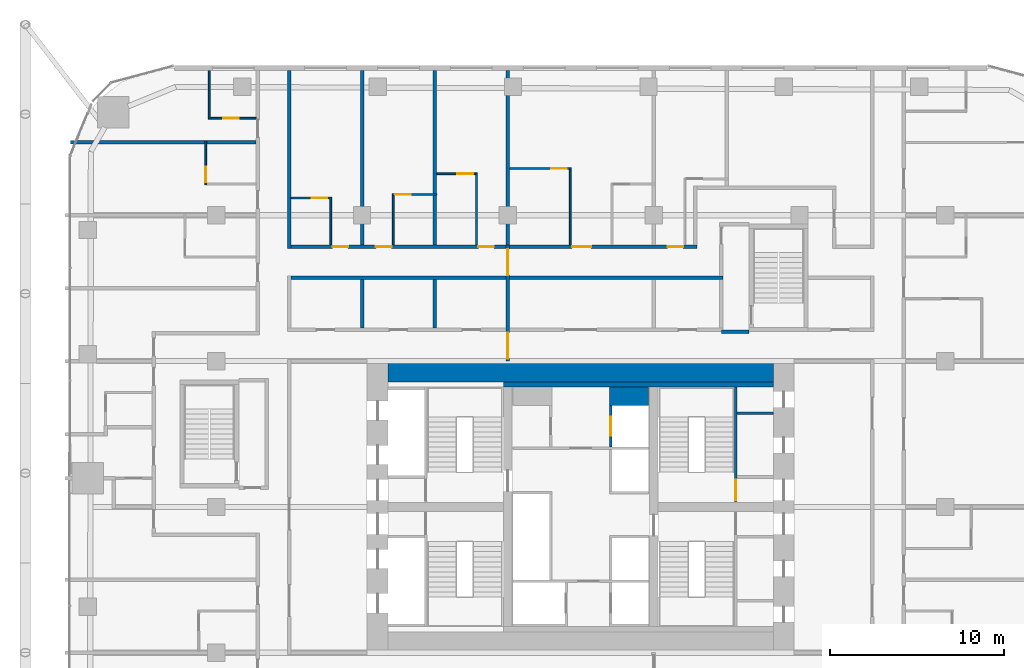
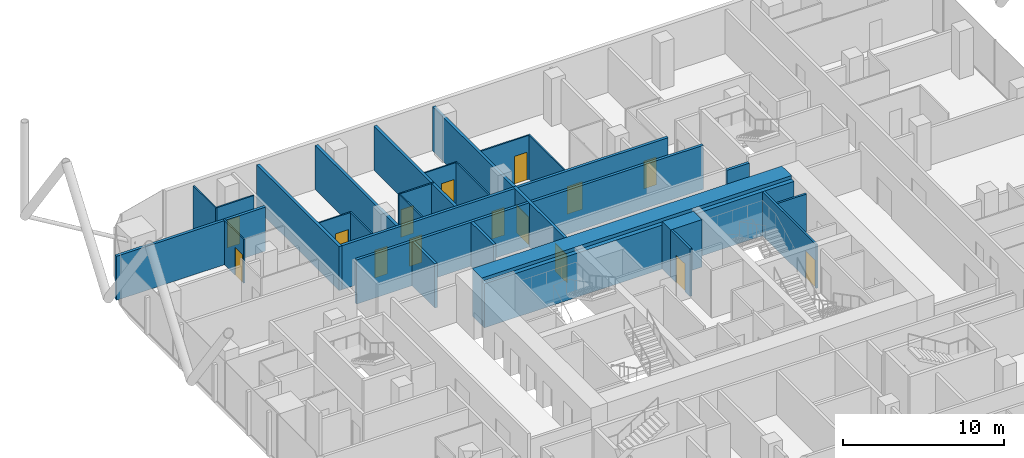
# One storey, part 30 of 35: 28 walls, 15 doors, 15 openings.
"""IFC4 building model written with IfcOpenShell, lengths in metres."""

from ifc_helpers import new_model, si_unit, direction, frame, frame_2d, origin, place, context, subcontext, project, spatial, rectangle, extrude, material, layer, layer_set, type_object, element, fill, save


model = new_model("IFC4")

# Units and contexts
model_context = context("Model", 3, precision=1e-05, world=origin(), true_north=direction((0.0, 1.0)))
body_context = subcontext(model_context, "Body", "Model", "MODEL_VIEW")
ifc_project = project(units=[si_unit("LENGTHUNIT", "METRE"), si_unit("AREAUNIT", "SQUARE_METRE"), si_unit("VOLUMEUNIT", "CUBIC_METRE"), si_unit("PLANEANGLEUNIT", "RADIAN"), si_unit("MASSUNIT", "GRAM", prefix="KILO")], contexts=[model_context])

# Site, building, storey
site_placement = place(None, origin())
site = spatial("IfcSite", under=ifc_project, at=site_placement, CompositionType="ELEMENT")
building_placement = place(site_placement, origin())
building = spatial("IfcBuilding", under=site, at=building_placement, Name="Marenta Gate Hotel Tower", CompositionType="ELEMENT")
storey_placement = place(building_placement, frame((0.0, 0.0, 61.699951171875)))
storey = spatial("IfcBuildingStorey", under=building, at=storey_placement, Name="L13", CompositionType="ELEMENT", Elevation=61.699951171875)

# Wall, openings, doors
ifc_material_1 = material(Name="Concrete blockwork", Category="masonry")
ifc_layer_1 = layer(ifc_material_1, 0.199951171875)
ifc_layer_set_1 = layer_set([ifc_layer_1], Name="Concrete blockwork")
wall_type_1 = type_object("IfcWallType", Name="Compartment wall 200 REI 180", PredefinedType="PARTITIONING", material=ifc_layer_set_1)
wall_1_placement = place(storey_placement, frame((-4.199951171875, 16.800048828125, 0.0), z_axis=(0.0, 0.0, 1.0), x_axis=(0.0, 1.0, 0.0)))
wall_1 = element("IfcWall", 1, at=wall_1_placement, inside=storey, type_object=wall_type_1, Name="L13-PTN-W077", PredefinedType="PARTITIONING", context=body_context, shape_type="SweptSolid", body=[
    extrude(rectangle(XDim=6.699951171875, YDim=0.199951171875, at=frame_2d((3.35009765625, 0.0))), origin(), (0.0, 0.0, 1.0), 3.340087890625),
])
opening_1_placement = place(wall_1_placement, frame((0.14990234375, 0.0, 0.0)))
opening_1 = element("IfcOpeningElement", 2, at=opening_1_placement, cuts=wall_1, Name="Opening G04-FD1", PredefinedType="OPENING", context=body_context, shape_type="SweptSolid", body=[
    extrude(rectangle(XDim=1.5, YDim=2.10009765625, at=frame_2d((0.75, 1.050048828125))), frame((0.0, 0.10009765625, 0.0), z_axis=(0.0, -1.0, 0.0), x_axis=(1.0, 0.0, 0.0)), (0.0, 0.0, 1.0), 0.199951171875),
])
opening_2_placement = place(wall_1_placement, frame((4.949951171875, 0.0, 0.0)))
opening_2 = element("IfcOpeningElement", 3, at=opening_2_placement, cuts=wall_1, Name="Opening G04-FD2", PredefinedType="OPENING", context=body_context, shape_type="SweptSolid", body=[
    extrude(rectangle(XDim=1.5, YDim=2.10009765625, at=frame_2d((0.75, 1.050048828125))), frame((0.0, 0.10009765625, 0.0), z_axis=(0.0, -1.0, 0.0), x_axis=(1.0, 0.0, 0.0)), (0.0, 0.0, 1.0), 0.199951171875),
])
ifc_material_2 = material(Name="Hollow steel door set", Category="steel")
door_type_1 = type_object("IfcDoorType", Name="Compartment fire door 1500x2100 EI 60", OperationType="DOUBLE_DOOR_DOUBLE_SWING", PredefinedType="DOOR", material=ifc_material_2)
door_1_placement = place(opening_1_placement, origin())
door_1 = element("IfcDoor", 4, at=door_1_placement, inside=storey, type_object=door_type_1, Name="L13-PD-FD01", OperationType="DOUBLE_DOOR_DOUBLE_SWING", OverallHeight=2.10009765625, OverallWidth=1.5, PredefinedType="DOOR", context=body_context, shape_type="SweptSolid", body=[
    extrude(rectangle(XDim=1.5, YDim=2.10009765625, at=frame_2d((0.75, 1.050048828125))), frame((0.0, 0.02490234375, 0.0), z_axis=(0.0, -1.0, 0.0), x_axis=(1.0, 0.0, 0.0)), (0.0, 0.0, 1.0), 0.050048828125),
])
fill(opening_1, door_1)
door_2_placement = place(opening_2_placement, origin())
door_2 = element("IfcDoor", 5, at=door_2_placement, inside=storey, type_object=door_type_1, Name="L13-PD-FD02", OperationType="DOUBLE_DOOR_DOUBLE_SWING", OverallHeight=2.10009765625, OverallWidth=1.5, PredefinedType="DOOR", context=body_context, shape_type="SweptSolid", body=[
    extrude(rectangle(XDim=1.5, YDim=2.10009765625, at=frame_2d((0.75, 1.050048828125))), frame((0.0, 0.02490234375, 0.0), z_axis=(0.0, -1.0, 0.0), x_axis=(1.0, 0.0, 0.0)), (0.0, 0.0, 1.0), 0.050048828125),
])
fill(opening_2, door_2)

# Walls
wall_2_placement = place(storey_placement, frame((-4.199951171875, 23.5, 0.0), z_axis=(0.0, 0.0, 1.0), x_axis=(0.0, 1.0, 0.0)))
element("IfcWall", 6, at=wall_2_placement, inside=storey, type_object=wall_type_1, Name="L13-PTN-W078", PredefinedType="PARTITIONING", context=body_context, shape_type="SweptSolid", body=[
    extrude(rectangle(XDim=10.0400390625, YDim=0.199951171875, at=frame_2d((5.02001953125, 0.0))), origin(), (0.0, 0.0, 1.0), 3.340087890625),
])
ifc_material_3 = material(Name="Concrete C40", Category="concrete")
ifc_layer_2 = layer(ifc_material_3, 0.300048828125)
ifc_layer_set_2 = layer_set([ifc_layer_2], Name="Concrete C40")
wall_type_2 = type_object("IfcWallType", Name="Core lining wall 300 REI 180", PredefinedType="PARTITIONING", material=ifc_layer_set_2)
wall_3_placement = place(storey_placement, frame((-11.10009765625, 15.449951171875, 0.0), z_axis=(0.0, 0.0, 1.0), x_axis=(1.0, 0.0, 0.0)))
element("IfcWall", 7, at=wall_3_placement, inside=storey, type_object=wall_type_2, Name="L13-CP-LN-N", PredefinedType="PARTITIONING", context=body_context, shape_type="SweptSolid", body=[
    extrude(rectangle(XDim=22.2001953125, YDim=0.300048828125, at=frame_2d((11.10009765625, 0.0))), origin(), (0.0, 0.0, 1.0), 3.340087890625),
])
ifc_material_4 = material(Name="Concrete blockwork", Category="masonry")
ifc_layer_3 = layer(ifc_material_4, 0.14990234375)
ifc_layer_set_3 = layer_set([ifc_layer_3], Name="Concrete blockwork")
wall_type_3 = type_object("IfcWallType", Name="Core room partition 150 REI 180", PredefinedType="PARTITIONING", material=ifc_layer_set_3)
wall_4_placement = place(storey_placement, frame((9.0, 13.800048828125, 0.0), z_axis=(0.0, 0.0, 1.0), x_axis=(1.0, 0.0, 0.0)))
element("IfcWall", 8, at=wall_4_placement, inside=storey, type_object=wall_type_3, Name="L13-CP-RW-EN-1", PredefinedType="PARTITIONING", context=body_context, shape_type="SweptSolid", body=[
    extrude(rectangle(XDim=2.10009765625, YDim=0.14990234375, at=frame_2d((1.050048828125, 0.0))), origin(), (0.0, 0.0, 1.0), 3.340087890625),
])
ifc_material_5 = material(Name="Concrete C40", Category="concrete")
ifc_layer_4 = layer(ifc_material_5, 1.050048828125)
ifc_layer_set_4 = layer_set([ifc_layer_4], Name="Concrete C40")
wall_type_4 = type_object("IfcWallType", Name="Core shaft wall 1050 REI 180", PredefinedType="SHEAR", material=ifc_layer_set_4)
wall_5_placement = place(storey_placement, frame((1.64990234375, 14.77490234375, 0.0), z_axis=(0.0, 0.0, 1.0), x_axis=(1.0, 0.0, 0.0)))
element("IfcWall", 9, at=wall_5_placement, inside=storey, type_object=wall_type_4, Name="L13-SHF-CE-N-top", PredefinedType="SHEAR", context=body_context, shape_type="SweptSolid", body=[
    extrude(rectangle(XDim=2.25, YDim=1.050048828125, at=frame_2d((1.125, 0.0))), origin(), (0.0, 0.0, 1.0), 3.60009765625),
])

# Wall, opening, door
ifc_material_6 = material(Name="Concrete C40", Category="concrete")
ifc_layer_5 = layer(ifc_material_6, 0.14990234375)
ifc_layer_set_5 = layer_set([ifc_layer_5], Name="Concrete C40")
wall_type_5 = type_object("IfcWallType", Name="Core shaft wall 150 REI 180", PredefinedType="SHEAR", material=ifc_layer_set_5)
wall_6_placement = place(storey_placement, frame((1.72509765625, 11.85009765625, 0.0), z_axis=(0.0, 0.0, 1.0), x_axis=(0.0, 1.0, 0.0)))
wall_6 = element("IfcWall", 10, at=wall_6_placement, inside=storey, type_object=wall_type_5, Name="L13-SHF-CE-N-front2", PredefinedType="SHEAR", context=body_context, shape_type="SweptSolid", body=[
    extrude(rectangle(XDim=2.39990234375, YDim=0.14990234375, at=frame_2d((1.199951171875, 0.0))), origin(), (0.0, 0.0, 1.0), 3.60009765625),
])
opening_3_placement = place(wall_6_placement, frame((0.64990234375, 0.0, 0.0)))
opening_3 = element("IfcOpeningElement", 11, at=opening_3_placement, cuts=wall_6, Name="Opening LD-FF2", PredefinedType="OPENING", context=body_context, shape_type="SweptSolid", body=[
    extrude(rectangle(XDim=1.10009765625, YDim=2.10009765625, at=frame_2d((0.550048828125, 1.050048828125))), frame((0.0, 0.074951171875, 0.0), z_axis=(0.0, -1.0, 0.0), x_axis=(1.0, 0.0, 0.0)), (0.0, 0.0, 1.0), 0.14990234375),
])
ifc_material_7 = material(Name="Steel", Category="steel")
door_type_2 = type_object("IfcDoorType", Name="Core lift landing door 1100x2100 E 60", OperationType="SLIDING_TO_LEFT", PredefinedType="DOOR", material=ifc_material_7)
door_3_placement = place(opening_3_placement, origin())
door_3 = element("IfcDoor", 12, at=door_3_placement, inside=storey, type_object=door_type_2, Name="LD-FF2", OperationType="SLIDING_TO_LEFT", OverallHeight=2.10009765625, OverallWidth=1.10009765625, PredefinedType="DOOR", context=body_context, shape_type="SweptSolid", body=[
    extrude(rectangle(XDim=1.10009765625, YDim=2.10009765625, at=frame_2d((0.550048828125, 1.050048828125))), frame((0.0, 0.02490234375, 0.0), z_axis=(0.0, -1.0, 0.0), x_axis=(1.0, 0.0, 0.0)), (0.0, 0.0, 1.0), 0.050048828125),
])
fill(opening_3, door_3)

ifc_material_8 = material(Name="Concrete C40", Category="concrete")
ifc_layer_6 = layer(ifc_material_8, 0.14990234375)
ifc_layer_set_6 = layer_set([ifc_layer_6], Name="Concrete C40")
wall_type_6 = type_object("IfcWallType", Name="Core stair enclosure wall 150 REI 180", PredefinedType="SHEAR", material=ifc_layer_set_6)
wall_7_placement = place(storey_placement, frame((8.925048828125, 8.699951171875, 0.0), z_axis=(0.0, 0.0, 1.0), x_axis=(0.0, 1.0, 0.0)))
wall_7 = element("IfcWall", 13, at=wall_7_placement, inside=storey, type_object=wall_type_6, Name="L13-SHF-SW-EN-3", PredefinedType="SHEAR", context=body_context, shape_type="SweptSolid", body=[
    extrude(rectangle(XDim=6.60009765625, YDim=0.14990234375, at=frame_2d((3.300048828125, 0.0))), origin(), (0.0, 0.0, 1.0), 3.340087890625),
])
opening_4_placement = place(wall_7_placement, frame((0.074951171875, 0.0, 0.0)))
opening_4 = element("IfcOpeningElement", 14, at=opening_4_placement, cuts=wall_7, Name="Opening SD-EN", PredefinedType="OPENING", context=body_context, shape_type="SweptSolid", body=[
    extrude(rectangle(XDim=1.199951171875, YDim=2.10009765625, at=frame_2d((0.60009765625, 1.050048828125))), frame((0.0, 0.074951171875, 0.0), z_axis=(0.0, -1.0, 0.0), x_axis=(1.0, 0.0, 0.0)), (0.0, 0.0, 1.0), 0.14990234375),
])
ifc_material_9 = material(Name="Steel", Category="steel")
door_type_3 = type_object("IfcDoorType", Name="Core stair door 1200x2100 FD60", OperationType="SINGLE_SWING_LEFT", PredefinedType="DOOR", material=ifc_material_9)
door_4_placement = place(opening_4_placement, origin())
door_4 = element("IfcDoor", 15, at=door_4_placement, inside=storey, type_object=door_type_3, Name="SD-EN", OperationType="SINGLE_SWING_LEFT", OverallHeight=2.10009765625, OverallWidth=1.199951171875, PredefinedType="DOOR", context=body_context, shape_type="SweptSolid", body=[
    extrude(rectangle(XDim=1.199951171875, YDim=2.10009765625, at=frame_2d((0.60009765625, 1.050048828125))), frame((0.0, 0.02490234375, 0.0), z_axis=(0.0, -1.0, 0.0), x_axis=(1.0, 0.0, 0.0)), (0.0, 0.0, 1.0), 0.050048828125),
])
fill(opening_4, door_4)

# Walls
ifc_material_10 = material(Name="Concrete C80", Category="concrete")
ifc_layer_7 = layer(ifc_material_10, 1.199951171875)
ifc_layer_set_7 = layer_set([ifc_layer_7], Name="Concrete C80")
wall_type_7 = type_object("IfcWallType", Name="Core wall 1200 C80", PredefinedType="SHEAR", material=ifc_layer_set_7)
wall_8_placement = place(storey_placement, frame((-11.10009765625, 16.199951171875, 0.0), z_axis=(0.0, 0.0, 1.0), x_axis=(1.0, 0.0, 0.0)))
element("IfcWall", 16, at=wall_8_placement, inside=storey, type_object=wall_type_7, Name="L13-CORE-N", PredefinedType="SHEAR", context=body_context, shape_type="SweptSolid", body=[
    extrude(rectangle(XDim=22.2001953125, YDim=1.199951171875, at=frame_2d((11.10009765625, 0.0))), origin(), (0.0, 0.0, 1.0), 3.60009765625),
])
ifc_material_11 = material(Name="Concrete blockwork", Category="masonry")
ifc_layer_8 = layer(ifc_material_11, 0.199951171875)
ifc_layer_set_8 = layer_set([ifc_layer_8], Name="Concrete blockwork")
wall_type_8 = type_object("IfcWallType", Name="Room corridor wall 200 EI 120", PredefinedType="PARTITIONING", material=ifc_layer_set_8)
wall_9_placement = place(storey_placement, frame((-16.699951171875, 21.60009765625, 0.0), z_axis=(0.0, 0.0, 1.0), x_axis=(1.0, 0.0, 0.0)))
element("IfcWall", 17, at=wall_9_placement, inside=storey, type_object=wall_type_8, Name="L13-PTN-W127", PredefinedType="PARTITIONING", context=body_context, shape_type="SweptSolid", body=[
    extrude(rectangle(XDim=24.89990234375, YDim=0.199951171875, at=frame_2d((12.449951171875, 0.0))), origin(), (0.0, 0.0, 1.0), 3.340087890625),
])
ifc_material_12 = material(Name="Gypsum board on steel stud", Category="steel")
ifc_layer_9 = layer(ifc_material_12, 0.199951171875)
ifc_layer_set_9 = layer_set([ifc_layer_9], Name="Gypsum board on steel stud")
wall_type_9 = type_object("IfcWallType", Name="Room corridor wall 200 EI 60", PredefinedType="PARTITIONING", material=ifc_layer_set_9)
wall_10_placement = place(storey_placement, frame((-16.800048828125, 23.300048828125, 0.0), z_axis=(0.0, 0.0, 1.0), x_axis=(0.0, 1.0, 0.0)))
element("IfcWall", 18, at=wall_10_placement, inside=storey, type_object=wall_type_9, Name="L13-PTN-W112", PredefinedType="PARTITIONING", context=body_context, shape_type="SweptSolid", body=[
    extrude(rectangle(XDim=10.239990234375, YDim=0.199951171875, at=frame_2d((5.1201171875, 0.0))), origin(), (0.0, 0.0, 1.0), 3.340087890625),
])

# Wall, openings, doors
wall_11_placement = place(storey_placement, frame((-16.699951171875, 23.39990234375, 0.0), z_axis=(0.0, 0.0, 1.0), x_axis=(1.0, 0.0, 0.0)))
wall_11 = element("IfcWall", 19, at=wall_11_placement, inside=storey, type_object=wall_type_9, Name="L13-PTN-W135", PredefinedType="PARTITIONING", context=body_context, shape_type="SweptSolid", body=[
    extrude(rectangle(XDim=23.39990234375, YDim=0.199951171875, at=frame_2d((11.699951171875, 0.0))), origin(), (0.0, 0.0, 1.0), 3.340087890625),
])
opening_5_placement = place(wall_11_placement, frame((2.39990234375, 0.0, 0.0)))
opening_5 = element("IfcOpeningElement", 20, at=opening_5_placement, cuts=wall_11, Name="Opening G04-29", PredefinedType="OPENING", context=body_context, shape_type="SweptSolid", body=[
    extrude(rectangle(XDim=0.89990234375, YDim=2.10009765625, at=frame_2d((0.449951171875, 1.050048828125))), frame((0.0, 0.10009765625, 0.0), z_axis=(0.0, -1.0, 0.0), x_axis=(1.0, 0.0, 0.0)), (0.0, 0.0, 1.0), 0.199951171875),
])
opening_6_placement = place(wall_11_placement, frame((4.89990234375, 0.0, 0.0)))
opening_6 = element("IfcOpeningElement", 21, at=opening_6_placement, cuts=wall_11, Name="Opening G04-31", PredefinedType="OPENING", context=body_context, shape_type="SweptSolid", body=[
    extrude(rectangle(XDim=0.89990234375, YDim=2.10009765625, at=frame_2d((0.449951171875, 1.050048828125))), frame((0.0, 0.10009765625, 0.0), z_axis=(0.0, -1.0, 0.0), x_axis=(1.0, 0.0, 0.0)), (0.0, 0.0, 1.0), 0.199951171875),
])
opening_7_placement = place(wall_11_placement, frame((10.800048828125, 0.0, 0.0)))
opening_7 = element("IfcOpeningElement", 22, at=opening_7_placement, cuts=wall_11, Name="Opening G04-33", PredefinedType="OPENING", context=body_context, shape_type="SweptSolid", body=[
    extrude(rectangle(XDim=0.89990234375, YDim=2.10009765625, at=frame_2d((0.449951171875, 1.050048828125))), frame((0.0, 0.10009765625, 0.0), z_axis=(0.0, -1.0, 0.0), x_axis=(1.0, 0.0, 0.0)), (0.0, 0.0, 1.0), 0.199951171875),
])
opening_8_placement = place(wall_11_placement, frame((16.199951171875, 0.0, 0.0)))
opening_8 = element("IfcOpeningElement", 23, at=opening_8_placement, cuts=wall_11, Name="Opening G04-35", PredefinedType="OPENING", context=body_context, shape_type="SweptSolid", body=[
    extrude(rectangle(XDim=1.10009765625, YDim=2.10009765625, at=frame_2d((0.550048828125, 1.050048828125))), frame((0.0, 0.10009765625, 0.0), z_axis=(0.0, -1.0, 0.0), x_axis=(1.0, 0.0, 0.0)), (0.0, 0.0, 1.0), 0.199951171875),
])
opening_9_placement = place(wall_11_placement, frame((21.699951171875, 0.0, 0.0)))
opening_9 = element("IfcOpeningElement", 24, at=opening_9_placement, cuts=wall_11, Name="Opening G04-38", PredefinedType="OPENING", context=body_context, shape_type="SweptSolid", body=[
    extrude(rectangle(XDim=0.89990234375, YDim=2.10009765625, at=frame_2d((0.449951171875, 1.050048828125))), frame((0.0, 0.10009765625, 0.0), z_axis=(0.0, -1.0, 0.0), x_axis=(1.0, 0.0, 0.0)), (0.0, 0.0, 1.0), 0.199951171875),
])
ifc_material_13 = material(Name="Timber door leaf", Category="wood")
door_type_4 = type_object("IfcDoorType", Name="Guest room door 1100x2100 EI 30", OperationType="NOTDEFINED", PredefinedType="DOOR", material=ifc_material_13)
door_5_placement = place(opening_8_placement, origin())
door_5 = element("IfcDoor", 25, at=door_5_placement, inside=storey, type_object=door_type_4, Name="L13-PD-D035", OperationType="SINGLE_SWING_LEFT", OverallHeight=2.10009765625, OverallWidth=1.10009765625, PredefinedType="DOOR", context=body_context, shape_type="SweptSolid", body=[
    extrude(rectangle(XDim=1.10009765625, YDim=2.10009765625, at=frame_2d((0.550048828125, 1.050048828125))), frame((0.0, 0.02490234375, 0.0), z_axis=(0.0, -1.0, 0.0), x_axis=(1.0, 0.0, 0.0)), (0.0, 0.0, 1.0), 0.050048828125),
])
fill(opening_8, door_5)
ifc_material_14 = material(Name="Timber door leaf", Category="wood")
door_type_5 = type_object("IfcDoorType", Name="Guest room door 900x2100 EI 30", OperationType="NOTDEFINED", PredefinedType="DOOR", material=ifc_material_14)
door_6_placement = place(opening_5_placement, origin())
door_6 = element("IfcDoor", 26, at=door_6_placement, inside=storey, type_object=door_type_5, Name="L13-PD-D029", OperationType="SINGLE_SWING_LEFT", OverallHeight=2.10009765625, OverallWidth=0.89990234375, PredefinedType="DOOR", context=body_context, shape_type="SweptSolid", body=[
    extrude(rectangle(XDim=0.89990234375, YDim=2.10009765625, at=frame_2d((0.449951171875, 1.050048828125))), frame((0.0, 0.02490234375, 0.0), z_axis=(0.0, -1.0, 0.0), x_axis=(1.0, 0.0, 0.0)), (0.0, 0.0, 1.0), 0.050048828125),
])
fill(opening_5, door_6)
door_7_placement = place(opening_6_placement, origin())
door_7 = element("IfcDoor", 27, at=door_7_placement, inside=storey, type_object=door_type_5, Name="L13-PD-D031", OperationType="SINGLE_SWING_RIGHT", OverallHeight=2.10009765625, OverallWidth=0.89990234375, PredefinedType="DOOR", context=body_context, shape_type="SweptSolid", body=[
    extrude(rectangle(XDim=0.89990234375, YDim=2.10009765625, at=frame_2d((0.449951171875, 1.050048828125))), frame((0.0, 0.02490234375, 0.0), z_axis=(0.0, -1.0, 0.0), x_axis=(1.0, 0.0, 0.0)), (0.0, 0.0, 1.0), 0.050048828125),
])
fill(opening_6, door_7)
door_8_placement = place(opening_7_placement, origin())
door_8 = element("IfcDoor", 28, at=door_8_placement, inside=storey, type_object=door_type_5, Name="L13-PD-D033", OperationType="SINGLE_SWING_LEFT", OverallHeight=2.10009765625, OverallWidth=0.89990234375, PredefinedType="DOOR", context=body_context, shape_type="SweptSolid", body=[
    extrude(rectangle(XDim=0.89990234375, YDim=2.10009765625, at=frame_2d((0.449951171875, 1.050048828125))), frame((0.0, 0.02490234375, 0.0), z_axis=(0.0, -1.0, 0.0), x_axis=(1.0, 0.0, 0.0)), (0.0, 0.0, 1.0), 0.050048828125),
])
fill(opening_7, door_8)
door_9_placement = place(opening_9_placement, origin())
door_9 = element("IfcDoor", 29, at=door_9_placement, inside=storey, type_object=door_type_5, Name="L13-PD-D038", OperationType="SINGLE_SWING_RIGHT", OverallHeight=2.10009765625, OverallWidth=0.89990234375, PredefinedType="DOOR", context=body_context, shape_type="SweptSolid", body=[
    extrude(rectangle(XDim=0.89990234375, YDim=2.10009765625, at=frame_2d((0.449951171875, 1.050048828125))), frame((0.0, 0.02490234375, 0.0), z_axis=(0.0, -1.0, 0.0), x_axis=(1.0, 0.0, 0.0)), (0.0, 0.0, 1.0), 0.050048828125),
])
fill(opening_9, door_9)

# Walls
ifc_material_15 = material(Name="Concrete blockwork", Category="masonry")
ifc_layer_10 = layer(ifc_material_15, 0.199951171875)
ifc_layer_set_10 = layer_set([ifc_layer_10], Name="Concrete blockwork")
wall_type_10 = type_object("IfcWallType", Name="Room corridor wall 200 REI 180", PredefinedType="PARTITIONING", material=ifc_layer_set_10)
wall_12_placement = place(storey_placement, frame((8.10009765625, 18.5, 0.0), z_axis=(0.0, 0.0, 1.0), x_axis=(1.0, 0.0, 0.0)))
element("IfcWall", 30, at=wall_12_placement, inside=storey, type_object=wall_type_10, Name="L13-PTN-W117", PredefinedType="PARTITIONING", context=body_context, shape_type="SweptSolid", body=[
    extrude(rectangle(XDim=1.599853515625, YDim=0.199951171875, at=frame_2d((0.7998046875, 0.0))), origin(), (0.0, 0.0, 1.0), 3.340087890625),
])
ifc_material_16 = material(Name="Gypsum board on steel stud", Category="steel")
ifc_layer_11 = layer(ifc_material_16, 0.10009765625)
ifc_layer_set_11 = layer_set([ifc_layer_11], Name="Gypsum board on steel stud")
wall_type_11 = type_object("IfcWallType", Name="Room partition 100", PredefinedType="PARTITIONING", material=ifc_layer_set_11)
wall_13_placement = place(storey_placement, frame((-0.60009765625, 23.5, 0.0), z_axis=(0.0, 0.0, 1.0), x_axis=(0.0, 1.0, 0.0)))
element("IfcWall", 31, at=wall_13_placement, inside=storey, type_object=wall_type_11, Name="L13-PTN-W071", PredefinedType="PARTITIONING", context=body_context, shape_type="SweptSolid", body=[
    extrude(rectangle(XDim=4.449951171875, YDim=0.10009765625, at=frame_2d((2.22509765625, 0.0))), origin(), (0.0, 0.0, 1.0), 3.340087890625),
])
wall_14_placement = place(storey_placement, frame((-6.0, 23.5, 0.0), z_axis=(0.0, 0.0, 1.0), x_axis=(0.0, 1.0, 0.0)))
element("IfcWall", 32, at=wall_14_placement, inside=storey, type_object=wall_type_11, Name="L13-PTN-W082", PredefinedType="PARTITIONING", context=body_context, shape_type="SweptSolid", body=[
    extrude(rectangle(XDim=4.14990234375, YDim=0.10009765625, at=frame_2d((2.074951171875, 0.0))), origin(), (0.0, 0.0, 1.0), 3.340087890625),
])
wall_15_placement = place(storey_placement, frame((-10.800048828125, 23.5, 0.0), z_axis=(0.0, 0.0, 1.0), x_axis=(0.0, 1.0, 0.0)))
element("IfcWall", 33, at=wall_15_placement, inside=storey, type_object=wall_type_11, Name="L13-PTN-W096", PredefinedType="PARTITIONING", context=body_context, shape_type="SweptSolid", body=[
    extrude(rectangle(XDim=2.85009765625, YDim=0.10009765625, at=frame_2d((1.425048828125, 0.0))), origin(), (0.0, 0.0, 1.0), 3.340087890625),
])
wall_16_placement = place(storey_placement, frame((-14.39990234375, 23.5, 0.0), z_axis=(0.0, 0.0, 1.0), x_axis=(0.0, 1.0, 0.0)))
element("IfcWall", 34, at=wall_16_placement, inside=storey, type_object=wall_type_11, Name="L13-PTN-W104", PredefinedType="PARTITIONING", context=body_context, shape_type="SweptSolid", body=[
    extrude(rectangle(XDim=2.75, YDim=0.10009765625, at=frame_2d((1.375, 0.0))), origin(), (0.0, 0.0, 1.0), 3.340087890625),
])
wall_17_placement = place(storey_placement, frame((-21.39990234375, 30.75, 0.0), z_axis=(0.0, 0.0, 1.0), x_axis=(0.0, 1.0, 0.0)))
element("IfcWall", 35, at=wall_17_placement, inside=storey, type_object=wall_type_11, Name="L13-PTN-W125", PredefinedType="PARTITIONING", context=body_context, shape_type="SweptSolid", body=[
    extrude(rectangle(XDim=2.7900390625, YDim=0.10009765625, at=frame_2d((1.39501953125, 0.0))), origin(), (0.0, 0.0, 1.0), 3.340087890625),
])

# Wall, opening, door
wall_18_placement = place(storey_placement, frame((-21.60009765625, 26.949951171875, 0.0), z_axis=(0.0, 0.0, 1.0), x_axis=(0.0, 1.0, 0.0)))
wall_18 = element("IfcWall", 36, at=wall_18_placement, inside=storey, type_object=wall_type_11, Name="L13-PTN-W126", PredefinedType="PARTITIONING", context=body_context, shape_type="SweptSolid", body=[
    extrude(rectangle(XDim=2.550048828125, YDim=0.10009765625, at=frame_2d((1.27490234375, 0.0))), origin(), (0.0, 0.0, 1.0), 3.340087890625),
])
opening_10_placement = place(wall_18_placement, frame((0.14990234375, 0.0, 0.0)))
opening_10 = element("IfcOpeningElement", 37, at=opening_10_placement, cuts=wall_18, Name="Opening G04-64", PredefinedType="OPENING", context=body_context, shape_type="SweptSolid", body=[
    extrude(rectangle(XDim=0.89990234375, YDim=2.10009765625, at=frame_2d((0.449951171875, 1.050048828125))), frame((0.0, 0.050048828125, 0.0), z_axis=(0.0, -1.0, 0.0), x_axis=(1.0, 0.0, 0.0)), (0.0, 0.0, 1.0), 0.10009765625),
])
ifc_material_17 = material(Name="Timber door leaf", Category="wood")
door_type_6 = type_object("IfcDoorType", Name="Guest bathroom door 900x2100", OperationType="NOTDEFINED", PredefinedType="DOOR", material=ifc_material_17)
door_10_placement = place(opening_10_placement, origin())
door_10 = element("IfcDoor", 38, at=door_10_placement, inside=storey, type_object=door_type_6, Name="L13-PD-D064", OperationType="SINGLE_SWING_RIGHT", OverallHeight=2.10009765625, OverallWidth=0.89990234375, PredefinedType="DOOR", context=body_context, shape_type="SweptSolid", body=[
    extrude(rectangle(XDim=0.89990234375, YDim=2.10009765625, at=frame_2d((0.449951171875, 1.050048828125))), frame((0.0, 0.02490234375, 0.0), z_axis=(0.0, -1.0, 0.0), x_axis=(1.0, 0.0, 0.0)), (0.0, 0.0, 1.0), 0.050048828125),
])
fill(opening_10, door_10)

wall_19_placement = place(storey_placement, frame((-16.699951171875, 26.199951171875, 0.0), z_axis=(0.0, 0.0, 1.0), x_axis=(1.0, 0.0, 0.0)))
wall_19 = element("IfcWall", 39, at=wall_19_placement, inside=storey, type_object=wall_type_11, Name="L13-PTN-W141", PredefinedType="PARTITIONING", context=body_context, shape_type="SweptSolid", body=[
    extrude(rectangle(XDim=2.25, YDim=0.10009765625, at=frame_2d((1.125, 0.0))), origin(), (0.0, 0.0, 1.0), 3.340087890625),
])
opening_11_placement = place(wall_19_placement, frame((1.199951171875, 0.0, 0.0)))
opening_11 = element("IfcOpeningElement", 40, at=opening_11_placement, cuts=wall_19, Name="Opening G04-30", PredefinedType="OPENING", context=body_context, shape_type="SweptSolid", body=[
    extrude(rectangle(XDim=0.89990234375, YDim=2.10009765625, at=frame_2d((0.449951171875, 1.050048828125))), frame((0.0, 0.050048828125, 0.0), z_axis=(0.0, -1.0, 0.0), x_axis=(1.0, 0.0, 0.0)), (0.0, 0.0, 1.0), 0.10009765625),
])
door_11_placement = place(opening_11_placement, origin())
door_11 = element("IfcDoor", 41, at=door_11_placement, inside=storey, type_object=door_type_6, Name="L13-PD-D030", OperationType="SINGLE_SWING_LEFT", OverallHeight=2.10009765625, OverallWidth=0.89990234375, PredefinedType="DOOR", context=body_context, shape_type="SweptSolid", body=[
    extrude(rectangle(XDim=0.89990234375, YDim=2.10009765625, at=frame_2d((0.449951171875, 1.050048828125))), frame((0.0, 0.02490234375, 0.0), z_axis=(0.0, -1.0, 0.0), x_axis=(1.0, 0.0, 0.0)), (0.0, 0.0, 1.0), 0.050048828125),
])
fill(opening_11, door_11)

wall_20_placement = place(storey_placement, frame((-10.85009765625, 26.39990234375, 0.0), z_axis=(0.0, 0.0, 1.0), x_axis=(1.0, 0.0, 0.0)))
wall_20 = element("IfcWall", 42, at=wall_20_placement, inside=storey, type_object=wall_type_11, Name="L13-PTN-W142", PredefinedType="PARTITIONING", context=body_context, shape_type="SweptSolid", body=[
    extrude(rectangle(XDim=2.550048828125, YDim=0.10009765625, at=frame_2d((1.27490234375, 0.0))), origin(), (0.0, 0.0, 1.0), 3.340087890625),
])
opening_12_placement = place(wall_20_placement, frame((0.14990234375, 0.0, 0.0)))
opening_12 = element("IfcOpeningElement", 43, at=opening_12_placement, cuts=wall_20, Name="Opening G04-32", PredefinedType="OPENING", context=body_context, shape_type="SweptSolid", body=[
    extrude(rectangle(XDim=0.89990234375, YDim=2.10009765625, at=frame_2d((0.449951171875, 1.050048828125))), frame((0.0, 0.050048828125, 0.0), z_axis=(0.0, -1.0, 0.0), x_axis=(1.0, 0.0, 0.0)), (0.0, 0.0, 1.0), 0.10009765625),
])
door_12_placement = place(opening_12_placement, origin())
door_12 = element("IfcDoor", 44, at=door_12_placement, inside=storey, type_object=door_type_6, Name="L13-PD-D032", OperationType="SINGLE_SWING_RIGHT", OverallHeight=2.10009765625, OverallWidth=0.89990234375, PredefinedType="DOOR", context=body_context, shape_type="SweptSolid", body=[
    extrude(rectangle(XDim=0.89990234375, YDim=2.10009765625, at=frame_2d((0.449951171875, 1.050048828125))), frame((0.0, 0.02490234375, 0.0), z_axis=(0.0, -1.0, 0.0), x_axis=(1.0, 0.0, 0.0)), (0.0, 0.0, 1.0), 0.050048828125),
])
fill(opening_12, door_12)

wall_21_placement = place(storey_placement, frame((-8.300048828125, 27.60009765625, 0.0), z_axis=(0.0, 0.0, 1.0), x_axis=(1.0, 0.0, 0.0)))
wall_21 = element("IfcWall", 45, at=wall_21_placement, inside=storey, type_object=wall_type_11, Name="L13-PTN-W150", PredefinedType="PARTITIONING", context=body_context, shape_type="SweptSolid", body=[
    extrude(rectangle(XDim=2.25, YDim=0.10009765625, at=frame_2d((1.125, 0.0))), origin(), (0.0, 0.0, 1.0), 3.340087890625),
])
opening_13_placement = place(wall_21_placement, frame((1.199951171875, 0.0, 0.0)))
opening_13 = element("IfcOpeningElement", 46, at=opening_13_placement, cuts=wall_21, Name="Opening G04-34", PredefinedType="OPENING", context=body_context, shape_type="SweptSolid", body=[
    extrude(rectangle(XDim=0.89990234375, YDim=2.10009765625, at=frame_2d((0.449951171875, 1.050048828125))), frame((0.0, 0.050048828125, 0.0), z_axis=(0.0, -1.0, 0.0), x_axis=(1.0, 0.0, 0.0)), (0.0, 0.0, 1.0), 0.10009765625),
])
door_13_placement = place(opening_13_placement, origin())
door_13 = element("IfcDoor", 47, at=door_13_placement, inside=storey, type_object=door_type_6, Name="L13-PD-D034", OperationType="SINGLE_SWING_LEFT", OverallHeight=2.10009765625, OverallWidth=0.89990234375, PredefinedType="DOOR", context=body_context, shape_type="SweptSolid", body=[
    extrude(rectangle(XDim=0.89990234375, YDim=2.10009765625, at=frame_2d((0.449951171875, 1.050048828125))), frame((0.0, 0.02490234375, 0.0), z_axis=(0.0, -1.0, 0.0), x_axis=(1.0, 0.0, 0.0)), (0.0, 0.0, 1.0), 0.050048828125),
])
fill(opening_13, door_13)

wall_22_placement = place(storey_placement, frame((-4.10009765625, 27.89990234375, 0.0), z_axis=(0.0, 0.0, 1.0), x_axis=(1.0, 0.0, 0.0)))
wall_22 = element("IfcWall", 48, at=wall_22_placement, inside=storey, type_object=wall_type_11, Name="L13-PTN-W151", PredefinedType="PARTITIONING", context=body_context, shape_type="SweptSolid", body=[
    extrude(rectangle(XDim=3.4501953125, YDim=0.10009765625, at=frame_2d((1.72509765625, 0.0))), origin(), (0.0, 0.0, 1.0), 3.340087890625),
])
opening_14_placement = place(wall_22_placement, frame((2.39990234375, 0.0, 0.0)))
opening_14 = element("IfcOpeningElement", 49, at=opening_14_placement, cuts=wall_22, Name="Opening G04-36", PredefinedType="OPENING", context=body_context, shape_type="SweptSolid", body=[
    extrude(rectangle(XDim=0.89990234375, YDim=2.10009765625, at=frame_2d((0.449951171875, 1.050048828125))), frame((0.0, 0.050048828125, 0.0), z_axis=(0.0, -1.0, 0.0), x_axis=(1.0, 0.0, 0.0)), (0.0, 0.0, 1.0), 0.10009765625),
])
door_14_placement = place(opening_14_placement, origin())
door_14 = element("IfcDoor", 50, at=door_14_placement, inside=storey, type_object=door_type_6, Name="L13-PD-D036", OperationType="SINGLE_SWING_LEFT", OverallHeight=2.10009765625, OverallWidth=0.89990234375, PredefinedType="DOOR", context=body_context, shape_type="SweptSolid", body=[
    extrude(rectangle(XDim=0.89990234375, YDim=2.10009765625, at=frame_2d((0.449951171875, 1.050048828125))), frame((0.0, 0.02490234375, 0.0), z_axis=(0.0, -1.0, 0.0), x_axis=(1.0, 0.0, 0.0)), (0.0, 0.0, 1.0), 0.050048828125),
])
fill(opening_14, door_14)

wall_23_placement = place(storey_placement, frame((-21.35009765625, 30.800048828125, 0.0), z_axis=(0.0, 0.0, 1.0), x_axis=(1.0, 0.0, 0.0)))
wall_23 = element("IfcWall", 51, at=wall_23_placement, inside=storey, type_object=wall_type_11, Name="L13-PTN-W154", PredefinedType="PARTITIONING", context=body_context, shape_type="SweptSolid", body=[
    extrude(rectangle(XDim=2.650146484375, YDim=0.10009765625, at=frame_2d((1.3251953125, 0.0))), origin(), (0.0, 0.0, 1.0), 3.340087890625),
])
opening_15_placement = place(wall_23_placement, frame((0.760009765625, 0.0, 0.0)))
opening_15 = element("IfcOpeningElement", 52, at=opening_15_placement, cuts=wall_23, Name="Opening G04-66", PredefinedType="OPENING", context=body_context, shape_type="SweptSolid", body=[
    extrude(rectangle(XDim=0.89990234375, YDim=2.10009765625, at=frame_2d((0.449951171875, 1.050048828125))), frame((0.0, 0.050048828125, 0.0), z_axis=(0.0, -1.0, 0.0), x_axis=(1.0, 0.0, 0.0)), (0.0, 0.0, 1.0), 0.10009765625),
])
door_15_placement = place(opening_15_placement, origin())
door_15 = element("IfcDoor", 53, at=door_15_placement, inside=storey, type_object=door_type_6, Name="L13-PD-D066", OperationType="SINGLE_SWING_LEFT", OverallHeight=2.10009765625, OverallWidth=0.89990234375, PredefinedType="DOOR", context=body_context, shape_type="SweptSolid", body=[
    extrude(rectangle(XDim=0.89990234375, YDim=2.10009765625, at=frame_2d((0.449951171875, 1.050048828125))), frame((0.0, 0.02490234375, 0.0), z_axis=(0.0, -1.0, 0.0), x_axis=(1.0, 0.0, 0.0)), (0.0, 0.0, 1.0), 0.050048828125),
])
fill(opening_15, door_15)

# Walls
ifc_material_18 = material(Name="Concrete blockwork", Category="masonry")
ifc_layer_12 = layer(ifc_material_18, 0.199951171875)
ifc_layer_set_12 = layer_set([ifc_layer_12], Name="Concrete blockwork")
wall_type_12 = type_object("IfcWallType", Name="Room party wall 200 EI 120", PredefinedType="PARTITIONING", material=ifc_layer_set_12)
wall_24_placement = place(storey_placement, frame((-12.60009765625, 18.699951171875, 0.0), z_axis=(0.0, 0.0, 1.0), x_axis=(0.0, 1.0, 0.0)))
element("IfcWall", 54, at=wall_24_placement, inside=storey, type_object=wall_type_12, Name="L13-PTN-W100", PredefinedType="PARTITIONING", context=body_context, shape_type="SweptSolid", body=[
    extrude(rectangle(XDim=2.800048828125, YDim=0.199951171875, at=frame_2d((1.39990234375, 0.0))), origin(), (0.0, 0.0, 1.0), 3.340087890625),
])
ifc_material_19 = material(Name="Gypsum board on steel stud", Category="steel")
ifc_layer_13 = layer(ifc_material_19, 0.199951171875)
ifc_layer_set_13 = layer_set([ifc_layer_13], Name="Gypsum board on steel stud")
wall_type_13 = type_object("IfcWallType", Name="Room party wall 200 EI 60", PredefinedType="PARTITIONING", material=ifc_layer_set_13)
wall_25_placement = place(storey_placement, frame((-8.39990234375, 18.699951171875, 0.0), z_axis=(0.0, 0.0, 1.0), x_axis=(0.0, 1.0, 0.0)))
element("IfcWall", 55, at=wall_25_placement, inside=storey, type_object=wall_type_13, Name="L13-PTN-W088", PredefinedType="PARTITIONING", context=body_context, shape_type="SweptSolid", body=[
    extrude(rectangle(XDim=2.800048828125, YDim=0.199951171875, at=frame_2d((1.39990234375, 0.0))), origin(), (0.0, 0.0, 1.0), 3.340087890625),
])
for number, where, z_axis, x_axis, name in (
    (56, (-8.39990234375, 23.5, 0.0), (0.0, 0.0, 1.0), (0.0, 1.0, 0.0), "L13-PTN-W089"),
    (57, (-12.60009765625, 23.5, 0.0), (0.0, 0.0, 1.0), (0.0, 1.0, 0.0), "L13-PTN-W101"),
):
    element("IfcWall", number, at=place(storey_placement, frame(where, z_axis=z_axis, x_axis=x_axis)), inside=storey, type_object=wall_type_13, Name=name, PredefinedType="PARTITIONING", context=body_context, shape_type="SweptSolid", body=[
        extrude(rectangle(XDim=10.0400390625, YDim=0.199951171875, at=frame_2d((5.02001953125, 0.0))), origin(), (0.0, 0.0, 1.0), 3.340087890625),
    ])
wall_26_placement = place(storey_placement, frame((-29.39306640625, 29.39990234375, 0.0), z_axis=(0.0, 0.0, 1.0), x_axis=(1.0, 0.0, 0.0)))
element("IfcWall", 58, at=wall_26_placement, inside=storey, type_object=wall_type_13, Name="L13-PTN-W152", PredefinedType="PARTITIONING", context=body_context, shape_type="SweptSolid", body=[
    extrude(rectangle(XDim=10.693115234375, YDim=0.199951171875, at=frame_2d((5.3466796875, 0.0))), origin(), (0.0, 0.0, 1.0), 3.340087890625),
])

save(model, "model.ifc")
